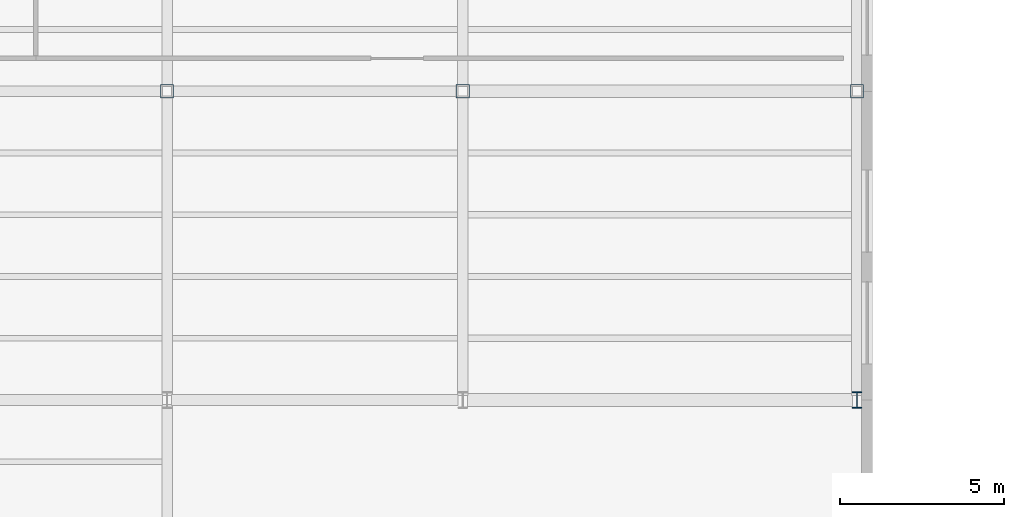
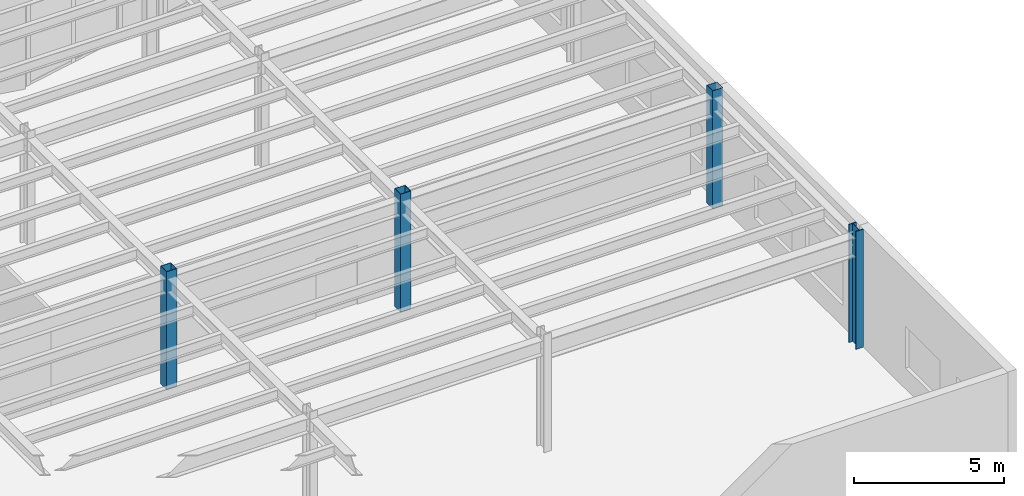
# One storey, part 12 of 91: 4 columns.
"""IFC4 building model written with IfcOpenShell, lengths in metres."""

from ifc_helpers import new_model, si_unit, direction, frame, origin, origin_2d, place, context, subcontext, project, spatial, hollow_rectangle, i_section, extrude, material, material_profile, profile_set, type_object, element, save


model = new_model("IFC4")

# Units and contexts
model_context = context("Model", 3, precision=1e-05, world=origin(), true_north=direction((0.0, 1.0)))
body_context = subcontext(model_context, "Body", "Model", "MODEL_VIEW")
ifc_project = project(units=[si_unit("LENGTHUNIT", "METRE"), si_unit("AREAUNIT", "SQUARE_METRE"), si_unit("VOLUMEUNIT", "CUBIC_METRE"), si_unit("PLANEANGLEUNIT", "RADIAN"), si_unit("MASSUNIT", "GRAM", prefix="KILO")], contexts=[model_context])

# Site, building, storey
site_placement = place(None, origin())
site = spatial("IfcSite", under=ifc_project, at=site_placement, CompositionType="ELEMENT")
building_placement = place(site_placement, origin())
building = spatial("IfcBuilding", under=site, at=building_placement, Name="Sollismere Congress Hotel", CompositionType="ELEMENT")
storey_placement = place(building_placement, frame((0.0, 0.0, 10.800048828125)))
storey = spatial("IfcBuildingStorey", under=building, at=storey_placement, Name="L02", CompositionType="ELEMENT", Elevation=10.800048828125)

# Columns
ifc_material_1 = material(Name="Steel ASTM A500 Grade C", Category="steel")
ifc_material_profile_1 = material_profile(ifc_material_1, hollow_rectangle(XDim=0.39990234375, YDim=0.39990234375, WallThickness=0.01611328125, at=origin_2d()), Name="HSS400X400X16")
ifc_profile_set_1 = profile_set([ifc_material_profile_1], Name="Steel ASTM A500 Grade C")
column_type_1 = type_object("IfcColumnType", Name="COL-HSS400I", PredefinedType="COLUMN", material=ifc_profile_set_1)
for number, where, z_axis, x_axis, name in (
    (1, (103.0, 85.60009765625, 0.0), (0.0, 0.0, 1.0), (1.0, 0.0, 0.0), "Column CL-L02-556"),
    (2, (112.0, 85.60009765625, 0.0), (0.0, 0.0, 1.0), (1.0, 0.0, 0.0), "Column CL-L02-634"),
    (3, (124.0, 85.60009765625, 0.0), (0.0, 0.0, 1.0), (1.0, 0.0, 0.0), "Column CL-L02-716"),
):
    element("IfcColumn", number, at=place(storey_placement, frame(where, z_axis=z_axis, x_axis=x_axis)), inside=storey, type_object=column_type_1, Name=name, PredefinedType="COLUMN", context=body_context, shape_type="SweptSolid", body=[
        extrude(hollow_rectangle(XDim=0.39990234375, YDim=0.39990234375, WallThickness=0.01611328125, at=origin_2d()), origin(), (0.0, 0.0, 1.0), 4.800048828125),
    ])
ifc_material_2 = material(Name="Steel ASTM A992 Grade 50", Category="steel")
ifc_material_profile_2 = material_profile(ifc_material_2, i_section(OverallWidth=0.283935546875, OverallDepth=0.4951171875, WebThickness=0.0185546875, FlangeThickness=0.033447265625, at=origin_2d()), Name="W18X143")
ifc_profile_set_2 = profile_set([ifc_material_profile_2], Name="Steel ASTM A992 Grade 50")
column_type_2 = type_object("IfcColumnType", Name="COL-W18", PredefinedType="COLUMN", material=ifc_profile_set_2)
column_placement = place(storey_placement, frame((124.0, 76.199951171875, 0.0), z_axis=(0.0, 0.0, 1.0), x_axis=(1.0, 0.0, 0.0)))
element("IfcColumn", 4, at=column_placement, inside=storey, type_object=column_type_2, Name="Column CL-L02-710", PredefinedType="COLUMN", context=body_context, shape_type="SweptSolid", body=[
    extrude(i_section(OverallWidth=0.283935546875, OverallDepth=0.4951171875, WebThickness=0.0185546875, FlangeThickness=0.033447265625, at=origin_2d()), origin(), (0.0, 0.0, 1.0), 4.800048828125),
])

save(model, "model.ifc")
